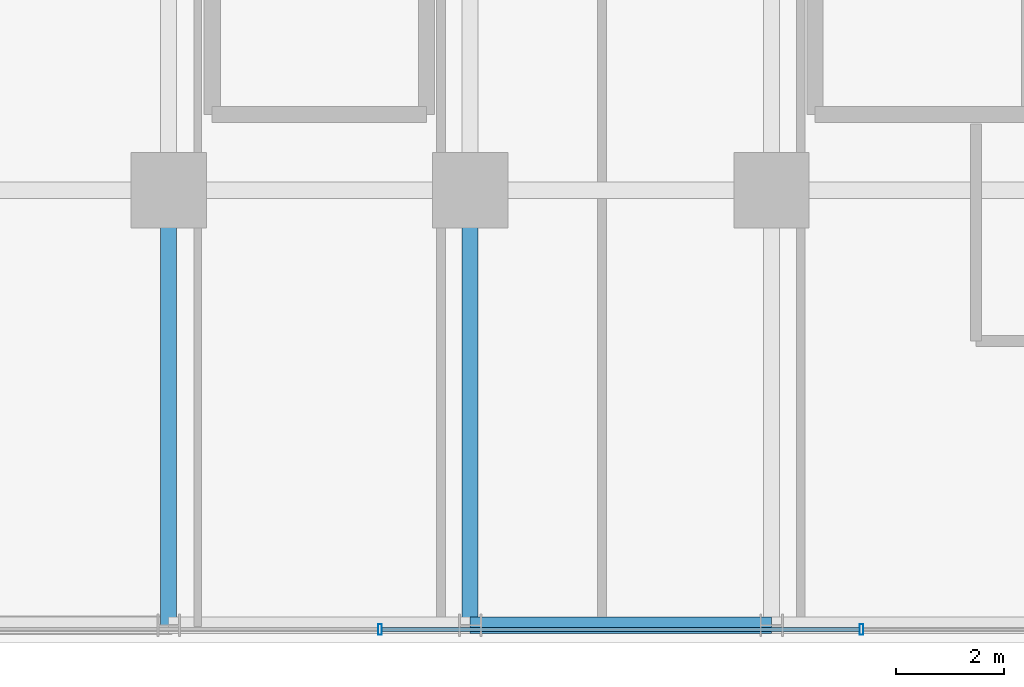
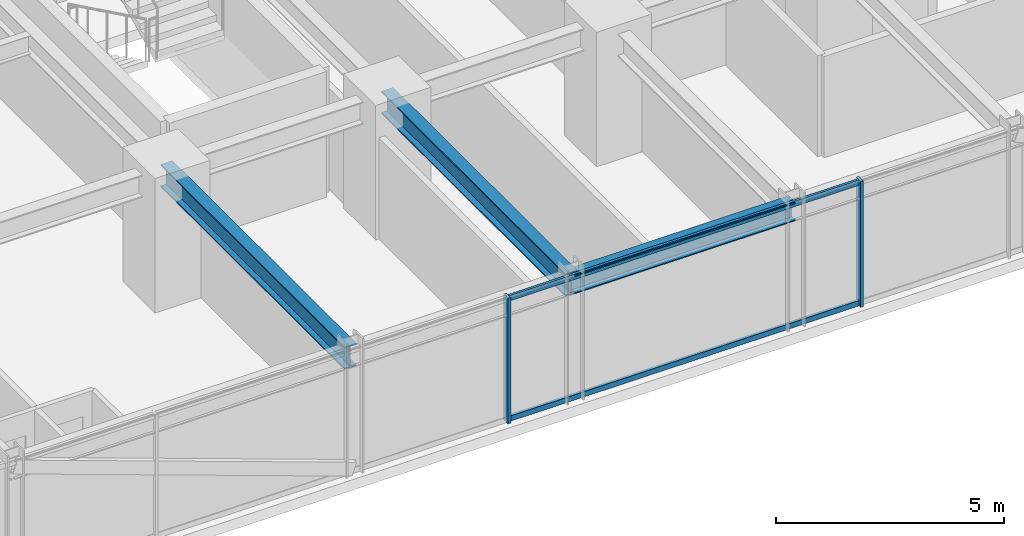
# One storey, part 7 of 41: 4 members, 3 beams, 1 element without a shape of its own.
"""IFC4 building model written with IfcOpenShell, lengths in metres."""

from ifc_helpers import new_model, si_unit, direction, frame, origin, origin_2d, place, context, subcontext, project, spatial, hollow_rectangle, i_section, extrude, source, transform, mapped, material, material_profile, profile_set, type_object, element, aggregate, save


model = new_model("IFC4")

# Units and contexts
model_context = context("Model", 3, precision=1e-05, world=origin(), true_north=direction((0.0, 1.0)))
body_context = subcontext(model_context, "Body", "Model", "MODEL_VIEW")
ifc_project = project(units=[si_unit("LENGTHUNIT", "METRE"), si_unit("AREAUNIT", "SQUARE_METRE"), si_unit("VOLUMEUNIT", "CUBIC_METRE"), si_unit("PLANEANGLEUNIT", "RADIAN"), si_unit("MASSUNIT", "GRAM", prefix="KILO")], contexts=[model_context])

# Site, building, storey
site_placement = place(None, origin())
site = spatial("IfcSite", under=ifc_project, at=site_placement, CompositionType="ELEMENT")
building_placement = place(site_placement, origin())
building = spatial("IfcBuilding", under=site, at=building_placement, Name="Nahalor Promenade Grand Hotel", CompositionType="ELEMENT")
storey_placement = place(building_placement, frame((0.0, 0.0, 54.300048828125)))
storey = spatial("IfcBuildingStorey", under=building, at=storey_placement, Name="L12", CompositionType="ELEMENT", Elevation=54.300048828125)

# Beams
ifc_material_1 = material(Name="Steel S355JR", Category="steel")
ifc_material_profile_1 = material_profile(ifc_material_1, i_section(OverallWidth=0.3, OverallDepth=0.5, WebThickness=0.0145, FlangeThickness=0.028, at=origin_2d()), Name="HEB 500")
ifc_profile_set_1 = profile_set([ifc_material_profile_1], Name="Steel S355JR")
beam_type_1 = type_object("IfcBeamType", Name="Beam-Spandrel-HEB500", PredefinedType="SPANDREL", material=ifc_profile_set_1)
shared_shape_1 = source(origin(), body_context, "Body", "SweptSolid", [
    extrude(i_section(OverallWidth=0.3, OverallDepth=0.5, WebThickness=0.0145, FlangeThickness=0.028, at=origin_2d()), origin(), (0.0, 0.0, 1.0), 5.60009765625),
])
beam_placement = place(storey_placement, frame((-2.800048828125, -25.080078125, 3.119873046875), z_axis=(1.0, 0.0, 0.0), x_axis=(0.0, 1.0, 0.0)))
element("IfcBeam", 1, at=beam_placement, inside=storey, type_object=beam_type_1, Name="BM-L12-SP-S-2", PredefinedType="SPANDREL", context=body_context, shape_type="MappedRepresentation", body=[
    mapped(shared_shape_1, transform((0.0, 0.0, 0.0), scale=1.0)),
])
ifc_material_profile_2 = material_profile(ifc_material_1, i_section(OverallWidth=0.3, OverallDepth=0.6, WebThickness=0.0155, FlangeThickness=0.03, at=origin_2d()), Name="HEB 600")
ifc_profile_set_2 = profile_set([ifc_material_profile_2], Name="Steel S355JR")
beam_type_2 = type_object("IfcBeamType", Name="Beam-Girder-HEB600", PredefinedType="BEAM", material=ifc_profile_set_2)
shared_shape_2 = source(origin(), body_context, "Body", "SweptSolid", [
    extrude(i_section(OverallWidth=0.3, OverallDepth=0.6, WebThickness=0.0155, FlangeThickness=0.03, at=origin_2d()), origin(), (0.0, 0.0, 1.0), 8.080078125),
])
for number, where, z_axis, x_axis, name in (
    (2, (-8.39990234375, -25.080078125, 3.070068359375), (0.0, 1.0, 0.0), (-1.0, 0.0, 0.0), "BM-L12-GY-1-0"),
    (3, (-2.800048828125, -25.080078125, 3.070068359375), (0.0, 1.0, 0.0), (-1.0, 0.0, 0.0), "BM-L12-GY-2-0"),
):
    element("IfcBeam", number, at=place(storey_placement, frame(where, z_axis=z_axis, x_axis=x_axis)), inside=storey, type_object=beam_type_2, Name=name, PredefinedType="BEAM", context=body_context, shape_type="MappedRepresentation", body=[
        mapped(shared_shape_2, transform((0.0, 0.0, 0.0), scale=1.0)),
    ])

# Curtain wall, members
ifc_material_2 = material(Name="Anodised Bronze Aluminium EN AW-6063 T6", Category="aluminium")
curtain_wall_type = type_object("IfcCurtainWallType", Name="CW3 Elliptical-Void Collar Unitised Curtain Wall", PredefinedType="USERDEFINED", material=ifc_material_2)
curtain_wall_placement = place(storey_placement, origin())
curtain_wall = element("IfcCurtainWall", 4, at=curtain_wall_placement, inside=storey, type_object=curtain_wall_type, Name="L12 Curtain Wall CW-L12-S-1", ObjectType="UNITISED_CURTAIN_WALL", PredefinedType="USERDEFINED")
ifc_material_profile_3 = material_profile(ifc_material_2, hollow_rectangle(XDim=0.07, YDim=0.2, WallThickness=0.005, at=origin_2d()), Name="CWM 70x200x5")
ifc_profile_set_3 = profile_set([ifc_material_profile_3], Name="Anodised Bronze Aluminium EN AW-6063 T6")
member_type_1 = type_object("IfcMemberType", Name="CWM3 Void Collar Mullion 70x200", PredefinedType="MULLION", material=ifc_profile_set_3)
shared_shape_3 = source(origin(), body_context, "Body", "SweptSolid", [
    extrude(hollow_rectangle(XDim=0.07, YDim=0.2, WallThickness=0.005, at=origin_2d()), origin(), (0.0, 0.0, 1.0), 3.369873046875),
])
member_1_placement = place(storey_placement, frame((-4.471923828125, -25.159912109375, 0.0), z_axis=(0.0, 0.0, 1.0), x_axis=(1.0, 0.0, 0.0)))
member_1 = element("IfcMember", 5, at=member_1_placement, type_object=member_type_1, Name="CW-L12-S-1 Mullion 2", PredefinedType="MULLION", context=body_context, shape_type="MappedRepresentation", body=[
    mapped(shared_shape_3, transform((0.0, 0.0, 0.0), scale=1.0)),
])
member_2_placement = place(storey_placement, frame((4.471923828125, -25.159912109375, 0.0), z_axis=(0.0, 0.0, 1.0), x_axis=(1.0, 0.0, 0.0)))
member_2 = element("IfcMember", 6, at=member_2_placement, type_object=member_type_1, Name="CW-L12-S-1 Mullion 3", PredefinedType="MULLION", context=body_context, shape_type="MappedRepresentation", body=[
    mapped(shared_shape_3, transform((0.0, 0.0, 0.0), scale=1.0)),
])
ifc_material_profile_4 = material_profile(ifc_material_2, hollow_rectangle(XDim=0.07, YDim=0.14, WallThickness=0.004, at=origin_2d()), Name="CWT 70x140x4")
ifc_profile_set_4 = profile_set([ifc_material_profile_4], Name="Anodised Bronze Aluminium EN AW-6063 T6")
member_type_2 = type_object("IfcMemberType", Name="CWT3 Void Collar Transom 70x140", PredefinedType="USERDEFINED", material=ifc_profile_set_4)
shared_shape_4 = source(origin(), body_context, "Body", "SweptSolid", [
    extrude(hollow_rectangle(XDim=0.07, YDim=0.14, WallThickness=0.004, at=origin_2d()), origin(), (0.0, 0.0, 1.0), 8.8740234375),
])
member_3_placement = place(storey_placement, frame((-4.43701171875, -25.159912109375, 0.070068359375), z_axis=(1.0, 0.0, 0.0), x_axis=(0.0, 1.0, 0.0)))
member_3 = element("IfcMember", 7, at=member_3_placement, type_object=member_type_2, Name="CW-L12-S-1 Transom 2-0", ObjectType="TRANSOM", PredefinedType="USERDEFINED", context=body_context, shape_type="MappedRepresentation", body=[
    mapped(shared_shape_4, transform((0.0, 0.0, 0.0), scale=1.0)),
])
member_4_placement = place(storey_placement, frame((-4.43701171875, -25.159912109375, 3.300048828125), z_axis=(1.0, 0.0, 0.0), x_axis=(0.0, 1.0, 0.0)))
member_4 = element("IfcMember", 8, at=member_4_placement, type_object=member_type_2, Name="CW-L12-S-1 Transom 2-1", ObjectType="TRANSOM", PredefinedType="USERDEFINED", context=body_context, shape_type="MappedRepresentation", body=[
    mapped(shared_shape_4, transform((0.0, 0.0, 0.0), scale=1.0)),
])
aggregate(curtain_wall, [member_1, member_2, member_3, member_4])

save(model, "model.ifc")
